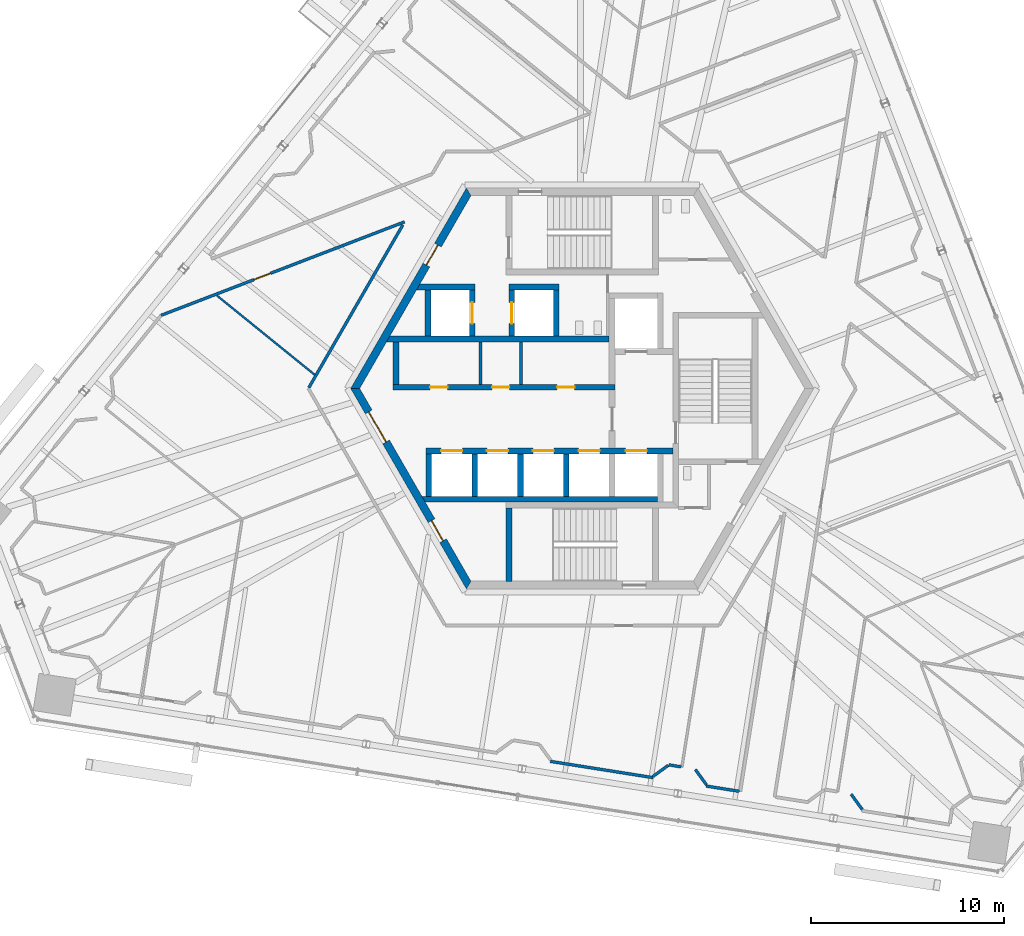
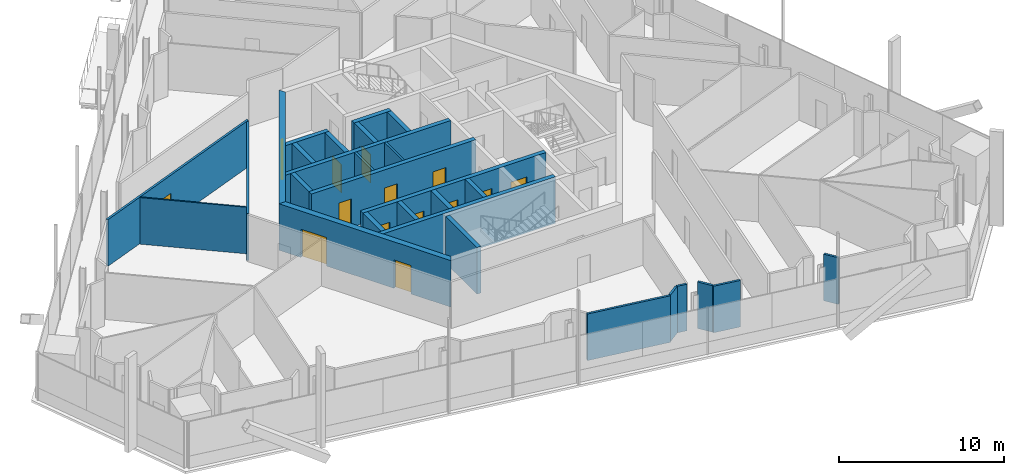
# One storey, part 12 of 23: 29 walls, 14 doors, 14 openings.
"""IFC4 building model written with IfcOpenShell, lengths in metres."""

from ifc_helpers import new_model, si_unit, direction, frame, frame_2d, origin, place, context, subcontext, project, spatial, polyline, rectangle, outline, extrude, source, transform, mapped, material, layer, layer_set, type_object, element, fill, save


model = new_model("IFC4")

# Units and contexts
model_context = context("Model", 3, precision=1e-05, world=origin(), true_north=direction((0.0, 1.0)))
body_context = subcontext(model_context, "Body", "Model", "MODEL_VIEW")
ifc_project = project(units=[si_unit("LENGTHUNIT", "METRE"), si_unit("AREAUNIT", "SQUARE_METRE"), si_unit("VOLUMEUNIT", "CUBIC_METRE"), si_unit("PLANEANGLEUNIT", "RADIAN"), si_unit("MASSUNIT", "GRAM", prefix="KILO")], contexts=[model_context])

# Site, building, storey
site_placement = place(None, origin())
site = spatial("IfcSite", under=ifc_project, at=site_placement, CompositionType="ELEMENT")
building_placement = place(site_placement, origin())
building = spatial("IfcBuilding", under=site, at=building_placement, Name="Triune Harvest Tower", CompositionType="ELEMENT")
storey_placement = place(building_placement, frame((0.0, 0.0, 167.699951171875)))
storey = spatial("IfcBuildingStorey", under=building, at=storey_placement, Name="L43", CompositionType="ELEMENT", Elevation=167.699951171875)

# Walls
ifc_material_1 = material(Name="Gypsum board on steel studs", Category="steel")
ifc_layer_1 = layer(ifc_material_1, 0.14990234375)
ifc_layer_set_1 = layer_set([ifc_layer_1], Name="Gypsum board on steel studs")
wall_type_1 = type_object("IfcWallType", Name="Fire Partition 150 mm", PredefinedType="PARTITIONING", material=ifc_layer_set_1)
wall_1_placement = place(storey_placement, frame((13.938720703125, -21.031005859375, 0.0), z_axis=(0.0, 0.0, 1.0), x_axis=(0.587772972264, -0.809025916196, 0.0)))
element("IfcWall", 1, at=wall_1_placement, inside=storey, type_object=wall_type_1, Name="Partition L43 032", PredefinedType="PARTITIONING", context=body_context, shape_type="SweptSolid", body=[
    extrude(rectangle(XDim=0.983154296875, YDim=0.14990234375, at=frame_2d((0.49169921875, 0.0))), origin(), (0.0, 0.0, 1.0), 3.43994140625),
])
wall_2_placement = place(storey_placement, frame((6.421630859375, -20.60888671875, 0.0), z_axis=(0.0, 0.0, 1.0), x_axis=(0.987702797816, -0.156343158425, 0.0)))
element("IfcWall", 2, at=wall_2_placement, inside=storey, type_object=wall_type_1, Name="Partition L43 058", PredefinedType="PARTITIONING", context=body_context, shape_type="SweptSolid", body=[
    extrude(rectangle(XDim=1.745849609375, YDim=0.14990234375, at=frame_2d((0.873046875, 0.0))), origin(), (0.0, 0.0, 1.0), 3.43994140625),
])
wall_3_placement = place(storey_placement, frame((4.490478515625, -19.5126953125, 0.0), z_axis=(0.0, 0.0, 1.0), x_axis=(0.987711497754, -0.156288186389, 0.0)))
element("IfcWall", 3, at=wall_3_placement, inside=storey, type_object=wall_type_1, Name="Partition L43 064", PredefinedType="PARTITIONING", context=body_context, shape_type="SweptSolid", body=[
    extrude(rectangle(XDim=0.654541015625, YDim=0.14990234375, at=frame_2d((0.3271484375, 0.0))), origin(), (0.0, 0.0, 1.0), 3.43994140625),
])

# Wall, opening, door
wall_4_placement = place(storey_placement, frame((-21.829345703125, 3.791259765625, 0.0), z_axis=(0.0, 0.0, 1.0), x_axis=(0.933574402128, 0.35838364317, 0.0)))
wall_4 = element("IfcWall", 4, at=wall_4_placement, inside=storey, type_object=wall_type_1, Name="Partition L43 091", PredefinedType="PARTITIONING", context=body_context, shape_type="SweptSolid", body=[
    extrude(rectangle(XDim=13.51953125, YDim=0.14990234375, at=frame_2d((6.759765625, 0.0))), origin(), (0.0, 0.0, 1.0), 3.43994140625),
])
opening_1_placement = place(wall_4_placement, frame((5.1708984375, 0.0, 0.0)))
opening_1 = element("IfcOpeningElement", 5, at=opening_1_placement, cuts=wall_4, Name="Opening L43-018", PredefinedType="OPENING", context=body_context, shape_type="SweptSolid", body=[
    extrude(rectangle(XDim=0.89990234375, YDim=2.10009765625, at=frame_2d((0.449951171875, 1.050048828125))), frame((0.0, 0.0849609375, 0.0), z_axis=(0.0, -1.0, 0.0), x_axis=(1.0, 0.0, 0.0)), (0.0, 0.0, 1.0), 0.169921875),
])
ifc_material_2 = material(Name="Timber and steel door set", Category="steel")
door_type_1 = type_object("IfcDoorType", Name="Single leaf door FD30 right hand 900 x 2100", OperationType="SINGLE_SWING_RIGHT", PredefinedType="DOOR", material=ifc_material_2)
door_1_placement = place(opening_1_placement, origin())
door_1 = element("IfcDoor", 6, at=door_1_placement, inside=storey, type_object=door_type_1, Name="Door L43-018 Project Room 43.18", OperationType="SINGLE_SWING_RIGHT", OverallHeight=2.10009765625, OverallWidth=0.89990234375, PredefinedType="DOOR", context=body_context, shape_type="SweptSolid", body=[
    extrude(rectangle(XDim=0.89990234375, YDim=2.10009765625, at=frame_2d((0.449951171875, 1.050048828125))), frame((0.0, 0.02490234375, 0.0), z_axis=(0.0, -1.0, 0.0), x_axis=(1.0, 0.0, 0.0)), (0.0, 0.0, 1.0), 0.050048828125),
])
fill(opening_1, door_1)

# Walls
wall_5_placement = place(storey_placement, frame((-14.1689453125, 0.04296875, 0.0), z_axis=(0.0, 0.0, 1.0), x_axis=(0.499995765644, 0.866027848477, 0.0)))
element("IfcWall", 7, at=wall_5_placement, inside=storey, type_object=wall_type_1, Name="Partition L43 124", PredefinedType="PARTITIONING", context=body_context, shape_type="SweptSolid", body=[
    extrude(rectangle(XDim=9.74267578125, YDim=0.14990234375, at=frame_2d((4.871337890625, 0.0))), origin(), (0.0, 0.0, 1.0), 3.43994140625),
])
ifc_material_3 = material(Name="Gypsum board on steel studs", Category="steel")
ifc_layer_2 = layer(ifc_material_3, 0.10009765625)
ifc_layer_set_2 = layer_set([ifc_layer_2], Name="Gypsum board on steel studs")
wall_type_2 = type_object("IfcWallType", Name="Partition 100 mm", PredefinedType="PARTITIONING", material=ifc_layer_set_2)
wall_6_placement = place(storey_placement, frame((-18.939208984375, 4.8173828125, 0.0), z_axis=(0.0, 0.0, 1.0), x_axis=(0.777136182543, -0.629332466811, 0.0)))
element("IfcWall", 8, at=wall_6_placement, inside=storey, type_object=wall_type_2, Name="Partition L43 036", PredefinedType="PARTITIONING", context=body_context, shape_type="SweptSolid", body=[
    extrude(rectangle(XDim=6.53955078125, YDim=0.10009765625, at=frame_2d((3.269775390625, 0.0))), origin(), (0.0, 0.0, 1.0), 3.43994140625),
])

# Wall, opening, door
ifc_material_4 = material(Name="Concrete 70 MPa", Category="concrete")
ifc_layer_3 = layer(ifc_material_4, 0.39990234375)
ifc_layer_set_3 = layer_set([ifc_layer_3], Name="Concrete 70 MPa")
wall_type_3 = type_object("IfcWallType", Name="Core wall 400", PredefinedType="SHEAR", material=ifc_layer_set_3)
shared_shape_1 = source(origin(), body_context, "Body", "SweptSolid", [
    extrude(outline(polyline([(-0.115478515625, -0.199951171875), (11.884521484375, -0.199951171875), (11.653564453125, 0.199951171875), (0.115478515625, 0.199951171875), (-0.115478515625, -0.199951171875)])), origin(), (0.0, 0.0, 1.0), 3.43994140625),
])
wall_7_placement = place(storey_placement, frame((-5.884521484375, 10.1923828125, 0.0), z_axis=(0.0, 0.0, 1.0), x_axis=(-0.499996592174, -0.866027371285, 0.0)))
wall_7 = element("IfcWall", 9, at=wall_7_placement, inside=storey, type_object=wall_type_3, Name="Hexagon 2 wall", PredefinedType="SHEAR", context=body_context, shape_type="MappedRepresentation", body=[
    mapped(shared_shape_1, transform((0.0, 0.0, 0.0), scale=1.0)),
])
opening_2_placement = place(wall_7_placement, frame((3.1845703125, 0.0, 0.0)))
opening_2 = element("IfcOpeningElement", 10, at=opening_2_placement, cuts=wall_7, Name="Opening CD-SVP", PredefinedType="OPENING", context=body_context, shape_type="SweptSolid", body=[
    extrude(rectangle(XDim=1.199951171875, YDim=2.10009765625, at=frame_2d((0.60009765625, 1.050048828125))), frame((0.0, 0.2099609375, 0.0), z_axis=(0.0, -1.0, 0.0), x_axis=(1.0, 0.0, 0.0)), (0.0, 0.0, 1.0), 0.419921875),
])
ifc_material_5 = material(Name="Steel S235", Category="steel")
door_type_2 = type_object("IfcDoorType", Name="Service door 1200 FD120", OperationType="SINGLE_SWING_LEFT", PredefinedType="DOOR", material=ifc_material_5)
door_2_placement = place(opening_2_placement, frame((1.199951171875, 0.0, 0.0), z_axis=(0.0, 0.0, 1.0), x_axis=(-1.0, 0.0, 0.0)))
door_2 = element("IfcDoor", 11, at=door_2_placement, inside=storey, type_object=door_type_2, Name="Door CD-SVP", OperationType="SINGLE_SWING_RIGHT", OverallHeight=2.10009765625, OverallWidth=1.199951171875, PredefinedType="DOOR", context=body_context, shape_type="SweptSolid", body=[
    extrude(rectangle(XDim=1.199951171875, YDim=2.10009765625, at=frame_2d((0.60009765625, 1.050048828125))), frame((0.0, 0.02490234375, 0.0), z_axis=(0.0, -1.0, 0.0), x_axis=(1.0, 0.0, 0.0)), (0.0, 0.0, 1.0), 0.050048828125),
])
fill(opening_2, door_2)

# Wall, openings, doors
wall_8_placement = place(storey_placement, frame((-11.76904296875, 0.0, 0.0), z_axis=(0.0, 0.0, 1.0), x_axis=(0.499996592174, -0.866027371285, 0.0)))
wall_8 = element("IfcWall", 12, at=wall_8_placement, inside=storey, type_object=wall_type_3, Name="Hexagon 3 wall", PredefinedType="SHEAR", context=body_context, shape_type="MappedRepresentation", body=[
    mapped(shared_shape_1, transform((0.0, 0.0, 0.0), scale=1.0)),
])
opening_3_placement = place(wall_8_placement, frame((1.404541015625, 0.0, 0.0)))
opening_3 = element("IfcOpeningElement", 13, at=opening_3_placement, cuts=wall_8, Name="Opening CD-LS", PredefinedType="OPENING", context=body_context, shape_type="SweptSolid", body=[
    extrude(rectangle(XDim=1.800048828125, YDim=2.10009765625, at=frame_2d((0.89990234375, 1.050048828125))), frame((0.0, 0.2099609375, 0.0), z_axis=(0.0, -1.0, 0.0), x_axis=(1.0, 0.0, 0.0)), (0.0, 0.0, 1.0), 0.419921875),
])
opening_4_placement = place(wall_8_placement, frame((7.91455078125, 0.0, 0.0)))
opening_4 = element("IfcOpeningElement", 14, at=opening_4_placement, cuts=wall_8, Name="Opening CD-SWP", PredefinedType="OPENING", context=body_context, shape_type="SweptSolid", body=[
    extrude(rectangle(XDim=1.199951171875, YDim=2.10009765625, at=frame_2d((0.60009765625, 1.050048828125))), frame((0.0, 0.2099609375, 0.0), z_axis=(0.0, -1.0, 0.0), x_axis=(1.0, 0.0, 0.0)), (0.0, 0.0, 1.0), 0.419921875),
])
ifc_material_6 = material(Name="Steel S235", Category="steel")
door_type_3 = type_object("IfcDoorType", Name="Lobby door 1800 FD120", OperationType="DOUBLE_DOOR_DOUBLE_SWING", PredefinedType="DOOR", material=ifc_material_6)
door_3_placement = place(opening_3_placement, frame((1.800048828125, 0.0, 0.0), z_axis=(0.0, 0.0, 1.0), x_axis=(-1.0, 0.0, 0.0)))
door_3 = element("IfcDoor", 15, at=door_3_placement, inside=storey, type_object=door_type_3, Name="Door CD-LS", OperationType="DOUBLE_DOOR_DOUBLE_SWING", OverallHeight=2.10009765625, OverallWidth=1.800048828125, PredefinedType="DOOR", context=body_context, shape_type="SweptSolid", body=[
    extrude(rectangle(XDim=1.800048828125, YDim=2.10009765625, at=frame_2d((0.89990234375, 1.050048828125))), frame((0.0, 0.02490234375, 0.0), z_axis=(0.0, -1.0, 0.0), x_axis=(1.0, 0.0, 0.0)), (0.0, 0.0, 1.0), 0.050048828125),
])
fill(opening_3, door_3)
door_4_placement = place(opening_4_placement, frame((1.199951171875, 0.0, 0.0), z_axis=(0.0, 0.0, 1.0), x_axis=(-1.0, 0.0, 0.0)))
door_4 = element("IfcDoor", 16, at=door_4_placement, inside=storey, type_object=door_type_2, Name="Door CD-SWP", OperationType="SINGLE_SWING_RIGHT", OverallHeight=2.10009765625, OverallWidth=1.199951171875, PredefinedType="DOOR", context=body_context, shape_type="SweptSolid", body=[
    extrude(rectangle(XDim=1.199951171875, YDim=2.10009765625, at=frame_2d((0.60009765625, 1.050048828125))), frame((0.0, 0.02490234375, 0.0), z_axis=(0.0, -1.0, 0.0), x_axis=(1.0, 0.0, 0.0)), (0.0, 0.0, 1.0), 0.050048828125),
])
fill(opening_4, door_4)

ifc_material_7 = material(Name="Concrete 70 MPa", Category="concrete")
ifc_layer_4 = layer(ifc_material_7, 0.300048828125)
ifc_layer_set_4 = layer_set([ifc_layer_4], Name="Concrete 70 MPa")
wall_type_4 = type_object("IfcWallType", Name="Core wall 300", PredefinedType="SHEAR", material=ifc_layer_set_4)
shared_shape_2 = source(origin(), body_context, "Body", "SweptSolid", [
    extrude(rectangle(XDim=11.5, YDim=0.300048828125, at=frame_2d((5.75, 0.0))), origin(), (0.0, 0.0, 1.0), 3.43994140625),
])
wall_9_placement = place(storey_placement, frame((-9.800048828125, 0.06005859375, 0.0), z_axis=(0.0, 0.0, 1.0), x_axis=(1.0, 0.0, 0.0)))
wall_9 = element("IfcWall", 17, at=wall_9_placement, inside=storey, type_object=wall_type_4, Name="North front wall", PredefinedType="SHEAR", context=body_context, shape_type="MappedRepresentation", body=[
    mapped(shared_shape_2, transform((0.0, 0.0, 0.0), scale=1.0)),
])
opening_5_placement = place(wall_9_placement, frame((1.922607421875, 0.0, 0.0)))
opening_5 = element("IfcOpeningElement", 18, at=opening_5_placement, cuts=wall_9, Name="Opening CD-RN1", PredefinedType="OPENING", context=body_context, shape_type="SweptSolid", body=[
    extrude(rectangle(XDim=0.89990234375, YDim=2.10009765625, at=frame_2d((0.449951171875, 1.050048828125))), frame((0.0, 0.16015625, 0.0), z_axis=(0.0, -1.0, 0.0), x_axis=(1.0, 0.0, 0.0)), (0.0, 0.0, 1.0), 0.320068359375),
])
opening_6_placement = place(wall_9_placement, frame((5.125, 0.0, 0.0)))
opening_6 = element("IfcOpeningElement", 19, at=opening_6_placement, cuts=wall_9, Name="Opening CD-RN2", PredefinedType="OPENING", context=body_context, shape_type="SweptSolid", body=[
    extrude(rectangle(XDim=0.89990234375, YDim=2.10009765625, at=frame_2d((0.449951171875, 1.050048828125))), frame((0.0, 0.16015625, 0.0), z_axis=(0.0, -1.0, 0.0), x_axis=(1.0, 0.0, 0.0)), (0.0, 0.0, 1.0), 0.320068359375),
])
opening_7_placement = place(wall_9_placement, frame((8.50244140625, 0.0, 0.0)))
opening_7 = element("IfcOpeningElement", 20, at=opening_7_placement, cuts=wall_9, Name="Opening CD-RN3", PredefinedType="OPENING", context=body_context, shape_type="SweptSolid", body=[
    extrude(rectangle(XDim=0.89990234375, YDim=2.10009765625, at=frame_2d((0.449951171875, 1.050048828125))), frame((0.0, 0.16015625, 0.0), z_axis=(0.0, -1.0, 0.0), x_axis=(1.0, 0.0, 0.0)), (0.0, 0.0, 1.0), 0.320068359375),
])
ifc_material_8 = material(Name="Steel S235", Category="steel")
door_type_4 = type_object("IfcDoorType", Name="Riser door 900 FD120", OperationType="SINGLE_SWING_LEFT", PredefinedType="DOOR", material=ifc_material_8)
door_5_placement = place(opening_5_placement, frame((0.89990234375, 0.0, 0.0), z_axis=(0.0, 0.0, 1.0), x_axis=(-1.0, 0.0, 0.0)))
door_5 = element("IfcDoor", 21, at=door_5_placement, inside=storey, type_object=door_type_4, Name="Door CD-RN1", OperationType="SINGLE_SWING_RIGHT", OverallHeight=2.10009765625, OverallWidth=0.89990234375, PredefinedType="DOOR", context=body_context, shape_type="SweptSolid", body=[
    extrude(rectangle(XDim=0.89990234375, YDim=2.10009765625, at=frame_2d((0.449951171875, 1.050048828125))), frame((0.0, 0.02490234375, 0.0), z_axis=(0.0, -1.0, 0.0), x_axis=(1.0, 0.0, 0.0)), (0.0, 0.0, 1.0), 0.050048828125),
])
fill(opening_5, door_5)
door_6_placement = place(opening_6_placement, frame((0.89990234375, 0.0, 0.0), z_axis=(0.0, 0.0, 1.0), x_axis=(-1.0, 0.0, 0.0)))
door_6 = element("IfcDoor", 22, at=door_6_placement, inside=storey, type_object=door_type_4, Name="Door CD-RN2", OperationType="SINGLE_SWING_RIGHT", OverallHeight=2.10009765625, OverallWidth=0.89990234375, PredefinedType="DOOR", context=body_context, shape_type="SweptSolid", body=[
    extrude(rectangle(XDim=0.89990234375, YDim=2.10009765625, at=frame_2d((0.449951171875, 1.050048828125))), frame((0.0, 0.02490234375, 0.0), z_axis=(0.0, -1.0, 0.0), x_axis=(1.0, 0.0, 0.0)), (0.0, 0.0, 1.0), 0.050048828125),
])
fill(opening_6, door_6)
door_7_placement = place(opening_7_placement, frame((0.89990234375, 0.0, 0.0), z_axis=(0.0, 0.0, 1.0), x_axis=(-1.0, 0.0, 0.0)))
door_7 = element("IfcDoor", 23, at=door_7_placement, inside=storey, type_object=door_type_4, Name="Door CD-RN3", OperationType="SINGLE_SWING_RIGHT", OverallHeight=2.10009765625, OverallWidth=0.89990234375, PredefinedType="DOOR", context=body_context, shape_type="SweptSolid", body=[
    extrude(rectangle(XDim=0.89990234375, YDim=2.10009765625, at=frame_2d((0.449951171875, 1.050048828125))), frame((0.0, 0.02490234375, 0.0), z_axis=(0.0, -1.0, 0.0), x_axis=(1.0, 0.0, 0.0)), (0.0, 0.0, 1.0), 0.050048828125),
])
fill(opening_7, door_7)

# Wall
shared_shape_3 = source(origin(), body_context, "Body", "SweptSolid", [
    extrude(outline(polyline([(11.199951171875, -0.14990234375), (-0.34912109375, -0.14990234375), (-0.17578125, 0.14990234375), (11.199951171875, 0.14990234375), (11.199951171875, -0.14990234375)])), origin(), (0.0, 0.0, 1.0), 3.43994140625),
])
wall_10_placement = place(storey_placement, frame((-9.800048828125, 2.56005859375, 0.0), z_axis=(0.0, 0.0, 1.0), x_axis=(1.0, 0.0, 0.0)))
element("IfcWall", 24, at=wall_10_placement, inside=storey, type_object=wall_type_4, Name="North back wall", PredefinedType="SHEAR", context=body_context, shape_type="MappedRepresentation", body=[
    mapped(shared_shape_3, transform((0.0, 0.0, 0.0), scale=1.0)),
])

# Wall, openings, doors
shared_shape_4 = source(origin(), body_context, "Body", "SweptSolid", [
    extrude(rectangle(XDim=12.800048828125, YDim=0.300048828125, at=frame_2d((6.39990234375, 0.0))), origin(), (0.0, 0.0, 1.0), 3.43994140625),
])
wall_11_placement = place(storey_placement, frame((-8.10009765625, -3.239990234375, 0.0), z_axis=(0.0, 0.0, 1.0), x_axis=(1.0, 0.0, 0.0)))
wall_11 = element("IfcWall", 25, at=wall_11_placement, inside=storey, type_object=wall_type_4, Name="South front wall", PredefinedType="SHEAR", context=body_context, shape_type="MappedRepresentation", body=[
    mapped(shared_shape_4, transform((0.0, 0.0, 0.0), scale=1.0)),
])
opening_8_placement = place(wall_11_placement, frame((0.78759765625, 0.0, 0.0)))
opening_8 = element("IfcOpeningElement", 26, at=opening_8_placement, cuts=wall_11, Name="Opening LD-HR1-43", PredefinedType="OPENING", context=body_context, shape_type="SweptSolid", body=[
    extrude(rectangle(XDim=1.10009765625, YDim=2.10009765625, at=frame_2d((0.550048828125, 1.050048828125))), frame((0.0, 0.16015625, 0.0), z_axis=(0.0, -1.0, 0.0), x_axis=(1.0, 0.0, 0.0)), (0.0, 0.0, 1.0), 0.320068359375),
])
opening_9_placement = place(wall_11_placement, frame((3.16259765625, 0.0, 0.0)))
opening_9 = element("IfcOpeningElement", 27, at=opening_9_placement, cuts=wall_11, Name="Opening LD-HR2-43", PredefinedType="OPENING", context=body_context, shape_type="SweptSolid", body=[
    extrude(rectangle(XDim=1.10009765625, YDim=2.10009765625, at=frame_2d((0.550048828125, 1.050048828125))), frame((0.0, 0.16015625, 0.0), z_axis=(0.0, -1.0, 0.0), x_axis=(1.0, 0.0, 0.0)), (0.0, 0.0, 1.0), 0.320068359375),
])
opening_10_placement = place(wall_11_placement, frame((5.53759765625, 0.0, 0.0)))
opening_10 = element("IfcOpeningElement", 28, at=opening_10_placement, cuts=wall_11, Name="Opening LD-HR3-43", PredefinedType="OPENING", context=body_context, shape_type="SweptSolid", body=[
    extrude(rectangle(XDim=1.10009765625, YDim=2.10009765625, at=frame_2d((0.550048828125, 1.050048828125))), frame((0.0, 0.16015625, 0.0), z_axis=(0.0, -1.0, 0.0), x_axis=(1.0, 0.0, 0.0)), (0.0, 0.0, 1.0), 0.320068359375),
])
opening_11_placement = place(wall_11_placement, frame((7.91259765625, 0.0, 0.0)))
opening_11 = element("IfcOpeningElement", 29, at=opening_11_placement, cuts=wall_11, Name="Opening LD-HR4-43", PredefinedType="OPENING", context=body_context, shape_type="SweptSolid", body=[
    extrude(rectangle(XDim=1.10009765625, YDim=2.10009765625, at=frame_2d((0.550048828125, 1.050048828125))), frame((0.0, 0.16015625, 0.0), z_axis=(0.0, -1.0, 0.0), x_axis=(1.0, 0.0, 0.0)), (0.0, 0.0, 1.0), 0.320068359375),
])
opening_12_placement = place(wall_11_placement, frame((10.35009765625, 0.0, 0.0)))
opening_12 = element("IfcOpeningElement", 30, at=opening_12_placement, cuts=wall_11, Name="Opening LD-FF2-43", PredefinedType="OPENING", context=body_context, shape_type="SweptSolid", body=[
    extrude(rectangle(XDim=1.10009765625, YDim=2.10009765625, at=frame_2d((0.550048828125, 1.050048828125))), frame((0.0, 0.16015625, 0.0), z_axis=(0.0, -1.0, 0.0), x_axis=(1.0, 0.0, 0.0)), (0.0, 0.0, 1.0), 0.320068359375),
])
ifc_material_9 = material(Name="Stainless steel AISI 304", Category="steel")
door_type_5 = type_object("IfcDoorType", Name="Landing door 1100 x 2100", OperationType="DOUBLE_DOOR_SLIDING", PredefinedType="DOOR", material=ifc_material_9)
door_8_placement = place(opening_8_placement, origin())
door_8 = element("IfcDoor", 31, at=door_8_placement, inside=storey, type_object=door_type_5, Name="Door LD-HR1-43", OperationType="DOUBLE_DOOR_SLIDING", OverallHeight=2.10009765625, OverallWidth=1.10009765625, PredefinedType="DOOR", context=body_context, shape_type="SweptSolid", body=[
    extrude(rectangle(XDim=1.10009765625, YDim=2.10009765625, at=frame_2d((0.550048828125, 1.050048828125))), frame((0.0, 0.02490234375, 0.0), z_axis=(0.0, -1.0, 0.0), x_axis=(1.0, 0.0, 0.0)), (0.0, 0.0, 1.0), 0.050048828125),
])
fill(opening_8, door_8)
door_9_placement = place(opening_9_placement, origin())
door_9 = element("IfcDoor", 32, at=door_9_placement, inside=storey, type_object=door_type_5, Name="Door LD-HR2-43", OperationType="DOUBLE_DOOR_SLIDING", OverallHeight=2.10009765625, OverallWidth=1.10009765625, PredefinedType="DOOR", context=body_context, shape_type="SweptSolid", body=[
    extrude(rectangle(XDim=1.10009765625, YDim=2.10009765625, at=frame_2d((0.550048828125, 1.050048828125))), frame((0.0, 0.02490234375, 0.0), z_axis=(0.0, -1.0, 0.0), x_axis=(1.0, 0.0, 0.0)), (0.0, 0.0, 1.0), 0.050048828125),
])
fill(opening_9, door_9)
door_10_placement = place(opening_10_placement, origin())
door_10 = element("IfcDoor", 33, at=door_10_placement, inside=storey, type_object=door_type_5, Name="Door LD-HR3-43", OperationType="DOUBLE_DOOR_SLIDING", OverallHeight=2.10009765625, OverallWidth=1.10009765625, PredefinedType="DOOR", context=body_context, shape_type="SweptSolid", body=[
    extrude(rectangle(XDim=1.10009765625, YDim=2.10009765625, at=frame_2d((0.550048828125, 1.050048828125))), frame((0.0, 0.02490234375, 0.0), z_axis=(0.0, -1.0, 0.0), x_axis=(1.0, 0.0, 0.0)), (0.0, 0.0, 1.0), 0.050048828125),
])
fill(opening_10, door_10)
door_11_placement = place(opening_11_placement, origin())
door_11 = element("IfcDoor", 34, at=door_11_placement, inside=storey, type_object=door_type_5, Name="Door LD-HR4-43", OperationType="DOUBLE_DOOR_SLIDING", OverallHeight=2.10009765625, OverallWidth=1.10009765625, PredefinedType="DOOR", context=body_context, shape_type="SweptSolid", body=[
    extrude(rectangle(XDim=1.10009765625, YDim=2.10009765625, at=frame_2d((0.550048828125, 1.050048828125))), frame((0.0, 0.02490234375, 0.0), z_axis=(0.0, -1.0, 0.0), x_axis=(1.0, 0.0, 0.0)), (0.0, 0.0, 1.0), 0.050048828125),
])
fill(opening_11, door_11)
door_12_placement = place(opening_12_placement, origin())
door_12 = element("IfcDoor", 35, at=door_12_placement, inside=storey, type_object=door_type_5, Name="Door LD-FF2-43", OperationType="DOUBLE_DOOR_SLIDING", OverallHeight=2.10009765625, OverallWidth=1.10009765625, PredefinedType="DOOR", context=body_context, shape_type="SweptSolid", body=[
    extrude(rectangle(XDim=1.10009765625, YDim=2.10009765625, at=frame_2d((0.550048828125, 1.050048828125))), frame((0.0, 0.02490234375, 0.0), z_axis=(0.0, -1.0, 0.0), x_axis=(1.0, 0.0, 0.0)), (0.0, 0.0, 1.0), 0.050048828125),
])
fill(opening_12, door_12)

# Walls
shared_shape_5 = source(origin(), body_context, "Body", "SweptSolid", [
    extrude(outline(polyline([(12.0, -0.14990234375), (-0.039794921875, -0.14990234375), (-0.212890625, 0.14990234375), (12.0, 0.14990234375), (12.0, -0.14990234375)])), origin(), (0.0, 0.0, 1.0), 3.43994140625),
])
wall_12_placement = place(storey_placement, frame((-8.10009765625, -5.739990234375, 0.0), z_axis=(0.0, 0.0, 1.0), x_axis=(1.0, 0.0, 0.0)))
element("IfcWall", 36, at=wall_12_placement, inside=storey, type_object=wall_type_4, Name="South back wall", PredefinedType="SHEAR", context=body_context, shape_type="MappedRepresentation", body=[
    mapped(shared_shape_5, transform((0.0, 0.0, 0.0), scale=1.0)),
])
shared_shape_6 = source(origin(), body_context, "Body", "SweptSolid", [
    extrude(rectangle(XDim=2.2001953125, YDim=0.300048828125, at=frame_2d((1.10009765625, 0.0))), origin(), (0.0, 0.0, 1.0), 3.43994140625),
])
for number, where, z_axis, x_axis, name in (
    (37, (-7.949951171875, -5.590087890625, 0.0), (0.0, 0.0, 1.0), (0.0, 1.0, 0.0), "South end west wall"),
    (38, (-5.574951171875, -5.590087890625, 0.0), (0.0, 0.0, 1.0), (0.0, 1.0, 0.0), "South cross 1 wall"),
    (39, (-3.199951171875, -5.590087890625, 0.0), (0.0, 0.0, 1.0), (0.0, 1.0, 0.0), "South cross 2 wall"),
    (40, (-0.824951171875, -5.590087890625, 0.0), (0.0, 0.0, 1.0), (0.0, 1.0, 0.0), "South cross 3 wall"),
):
    element("IfcWall", number, at=place(storey_placement, frame(where, z_axis=z_axis, x_axis=x_axis)), inside=storey, type_object=wall_type_4, Name=name, PredefinedType="SHEAR", context=body_context, shape_type="MappedRepresentation", body=[
        mapped(shared_shape_6, transform((0.0, 0.0, 0.0), scale=1.0)),
    ])
shared_shape_7 = source(origin(), body_context, "Body", "SweptSolid", [
    extrude(rectangle(XDim=2.199951171875, YDim=0.300048828125, at=frame_2d((1.10009765625, 0.0))), origin(), (0.0, 0.0, 1.0), 3.43994140625),
])
wall_13_placement = place(storey_placement, frame((-9.64990234375, 0.2099609375, 0.0), z_axis=(0.0, 0.0, 1.0), x_axis=(0.0, 1.0, 0.0)))
element("IfcWall", 41, at=wall_13_placement, inside=storey, type_object=wall_type_4, Name="North end west wall", PredefinedType="SHEAR", context=body_context, shape_type="MappedRepresentation", body=[
    mapped(shared_shape_7, transform((0.0, 0.0, 0.0), scale=1.0)),
])
shared_shape_8 = source(origin(), body_context, "Body", "SweptSolid", [
    extrude(outline(polyline([(3.800048828125, -0.14990234375), (-0.00439453125, -0.14990234375), (-0.00439453125, 0.14990234375), (3.800048828125, 0.14990234375), (3.800048828125, -0.14990234375)])), origin(), (0.0, 0.0, 1.0), 3.43994140625),
])
wall_14_placement = place(storey_placement, frame((-3.800048828125, -9.989990234375, 0.0), z_axis=(0.0, 0.0, 1.0), x_axis=(0.0, 1.0, 0.0)))
element("IfcWall", 42, at=wall_14_placement, inside=storey, type_object=wall_type_4, Name="Stair s west wall", PredefinedType="SHEAR", context=body_context, shape_type="MappedRepresentation", body=[
    mapped(shared_shape_8, transform((0.0, 0.0, 0.0), scale=1.0)),
])
shared_shape_9 = source(origin(), body_context, "Body", "SweptSolid", [
    extrude(outline(polyline([(2.60009765625, -0.14990234375), (-0.440185546875, -0.14990234375), (-0.26708984375, 0.14990234375), (2.60009765625, 0.14990234375), (2.60009765625, -0.14990234375)])), origin(), (0.0, 0.0, 1.0), 3.43994140625),
])
wall_15_placement = place(storey_placement, frame((-8.14990234375, 5.260009765625, 0.0), z_axis=(0.0, 0.0, 1.0), x_axis=(1.0, 0.0, 0.0)))
element("IfcWall", 43, at=wall_15_placement, inside=storey, type_object=wall_type_4, Name="Sv1 north wall", PredefinedType="SHEAR", context=body_context, shape_type="MappedRepresentation", body=[
    mapped(shared_shape_9, transform((0.0, 0.0, 0.0), scale=1.0)),
])
shared_shape_10 = source(origin(), body_context, "Body", "SweptSolid", [
    extrude(rectangle(XDim=2.400146484375, YDim=0.300048828125, at=frame_2d((1.2001953125, 0.0))), origin(), (0.0, 0.0, 1.0), 3.43994140625),
])
wall_16_placement = place(storey_placement, frame((-8.0, 2.7099609375, 0.0), z_axis=(0.0, 0.0, 1.0), x_axis=(0.0, 1.0, 0.0)))
element("IfcWall", 44, at=wall_16_placement, inside=storey, type_object=wall_type_4, Name="Sv1 west wall", PredefinedType="SHEAR", context=body_context, shape_type="MappedRepresentation", body=[
    mapped(shared_shape_10, transform((0.0, 0.0, 0.0), scale=1.0)),
])

# Wall, opening, door
wall_17_placement = place(storey_placement, frame((-5.699951171875, 2.7099609375, 0.0), z_axis=(0.0, 0.0, 1.0), x_axis=(0.0, 1.0, 0.0)))
wall_17 = element("IfcWall", 45, at=wall_17_placement, inside=storey, type_object=wall_type_4, Name="Sv1 east wall", PredefinedType="SHEAR", context=body_context, shape_type="MappedRepresentation", body=[
    mapped(shared_shape_10, transform((0.0, 0.0, 0.0), scale=1.0)),
])
opening_13_placement = place(wall_17_placement, frame((0.64990234375, 0.0, 0.0)))
opening_13 = element("IfcOpeningElement", 46, at=opening_13_placement, cuts=wall_17, Name="Opening LD-SV1-43", PredefinedType="OPENING", context=body_context, shape_type="SweptSolid", body=[
    extrude(rectangle(XDim=1.10009765625, YDim=2.10009765625, at=frame_2d((0.550048828125, 1.050048828125))), frame((0.0, 0.16015625, 0.0), z_axis=(0.0, -1.0, 0.0), x_axis=(1.0, 0.0, 0.0)), (0.0, 0.0, 1.0), 0.320068359375),
])
door_13_placement = place(opening_13_placement, origin())
door_13 = element("IfcDoor", 47, at=door_13_placement, inside=storey, type_object=door_type_5, Name="Door LD-SV1-43", OperationType="DOUBLE_DOOR_SLIDING", OverallHeight=2.10009765625, OverallWidth=1.10009765625, PredefinedType="DOOR", context=body_context, shape_type="SweptSolid", body=[
    extrude(rectangle(XDim=1.10009765625, YDim=2.10009765625, at=frame_2d((0.550048828125, 1.050048828125))), frame((0.0, 0.02490234375, 0.0), z_axis=(0.0, -1.0, 0.0), x_axis=(1.0, 0.0, 0.0)), (0.0, 0.0, 1.0), 0.050048828125),
])
fill(opening_13, door_13)

wall_18_placement = place(storey_placement, frame((-3.64990234375, 2.7099609375, 0.0), z_axis=(0.0, 0.0, 1.0), x_axis=(0.0, 1.0, 0.0)))
wall_18 = element("IfcWall", 48, at=wall_18_placement, inside=storey, type_object=wall_type_4, Name="Sv2 west wall", PredefinedType="SHEAR", context=body_context, shape_type="MappedRepresentation", body=[
    mapped(shared_shape_10, transform((0.0, 0.0, 0.0), scale=1.0)),
])
opening_14_placement = place(wall_18_placement, frame((0.64990234375, 0.0, 0.0)))
opening_14 = element("IfcOpeningElement", 49, at=opening_14_placement, cuts=wall_18, Name="Opening LD-SV2-43", PredefinedType="OPENING", context=body_context, shape_type="SweptSolid", body=[
    extrude(rectangle(XDim=1.10009765625, YDim=2.10009765625, at=frame_2d((0.550048828125, 1.050048828125))), frame((0.0, 0.16015625, 0.0), z_axis=(0.0, -1.0, 0.0), x_axis=(1.0, 0.0, 0.0)), (0.0, 0.0, 1.0), 0.320068359375),
])
door_14_placement = place(opening_14_placement, origin())
door_14 = element("IfcDoor", 50, at=door_14_placement, inside=storey, type_object=door_type_5, Name="Door LD-SV2-43", OperationType="DOUBLE_DOOR_SLIDING", OverallHeight=2.10009765625, OverallWidth=1.10009765625, PredefinedType="DOOR", context=body_context, shape_type="SweptSolid", body=[
    extrude(rectangle(XDim=1.10009765625, YDim=2.10009765625, at=frame_2d((0.550048828125, 1.050048828125))), frame((0.0, 0.02490234375, 0.0), z_axis=(0.0, -1.0, 0.0), x_axis=(1.0, 0.0, 0.0)), (0.0, 0.0, 1.0), 0.050048828125),
])
fill(opening_14, door_14)

# Walls
wall_19_placement = place(storey_placement, frame((-1.35009765625, 2.7099609375, 0.0), z_axis=(0.0, 0.0, 1.0), x_axis=(0.0, 1.0, 0.0)))
element("IfcWall", 51, at=wall_19_placement, inside=storey, type_object=wall_type_4, Name="Sv2 east wall", PredefinedType="SHEAR", context=body_context, shape_type="MappedRepresentation", body=[
    mapped(shared_shape_10, transform((0.0, 0.0, 0.0), scale=1.0)),
])
shared_shape_11 = source(origin(), body_context, "Body", "SweptSolid", [
    extrude(rectangle(XDim=2.60009765625, YDim=0.300048828125, at=frame_2d((1.300048828125, 0.0))), origin(), (0.0, 0.0, 1.0), 3.43994140625),
])
wall_20_placement = place(storey_placement, frame((-3.800048828125, 5.260009765625, 0.0), z_axis=(0.0, 0.0, 1.0), x_axis=(1.0, 0.0, 0.0)))
element("IfcWall", 52, at=wall_20_placement, inside=storey, type_object=wall_type_4, Name="Sv2 north wall", PredefinedType="SHEAR", context=body_context, shape_type="MappedRepresentation", body=[
    mapped(shared_shape_11, transform((0.0, 0.0, 0.0), scale=1.0)),
])
ifc_material_10 = material(Name="Concrete masonry unit", Category="masonry")
ifc_layer_5 = layer(ifc_material_10, 0.14990234375)
ifc_layer_set_5 = layer_set([ifc_layer_5], Name="Concrete masonry unit")
wall_type_5 = type_object("IfcWallType", Name="Block partition 150", PredefinedType="PARTITIONING", material=ifc_layer_set_5)
shared_shape_12 = source(origin(), body_context, "Body", "SweptSolid", [
    extrude(rectangle(XDim=2.199951171875, YDim=0.14990234375, at=frame_2d((1.10009765625, 0.0))), origin(), (0.0, 0.0, 1.0), 3.43994140625),
])
for number, where, z_axis, x_axis, name in (
    (53, (-5.280029296875, 0.2099609375, 0.0), (0.0, 0.0, 1.0), (0.0, 1.0, 0.0), "Row n part 1 wall"),
    (54, (-3.169921875, 0.2099609375, 0.0), (0.0, 0.0, 1.0), (0.0, 1.0, 0.0), "Row n part 2 wall"),
):
    element("IfcWall", number, at=place(storey_placement, frame(where, z_axis=z_axis, x_axis=x_axis)), inside=storey, type_object=wall_type_5, Name=name, PredefinedType="PARTITIONING", context=body_context, shape_type="MappedRepresentation", body=[
        mapped(shared_shape_12, transform((0.0, 0.0, 0.0), scale=1.0)),
    ])
shared_shape_13 = source(origin(), body_context, "Body", "SweptSolid", [
    extrude(rectangle(XDim=0.9833984375, YDim=0.14990234375, at=frame_2d((0.49169921875, 0.0))), origin(), (0.0, 0.0, 1.0), 3.43994140625),
])
for number, where, z_axis, x_axis, name in (
    (55, (5.8642578125, -19.751953125, 0.0), (0.0, 0.0, 1.0), (0.587817405052, -0.808993633051, 0.0), "Partition L43 031"),
    (56, (3.671875, -20.10888671875, 0.0), (0.0, 0.0, 1.0), (0.808993633051, 0.587817405052, 0.0), "Partition L43 100"),
):
    element("IfcWall", number, at=place(storey_placement, frame(where, z_axis=z_axis, x_axis=x_axis)), inside=storey, type_object=wall_type_1, Name=name, PredefinedType="PARTITIONING", context=body_context, shape_type="MappedRepresentation", body=[
        mapped(shared_shape_13, transform((0.0, 0.0, 0.0), scale=1.0)),
    ])
shared_shape_14 = source(origin(), body_context, "Body", "SweptSolid", [
    extrude(rectangle(XDim=5.3916015625, YDim=0.14990234375, at=frame_2d((2.69580078125, 0.0))), origin(), (0.0, 0.0, 1.0), 3.43994140625),
])
wall_21_placement = place(storey_placement, frame((-1.652587890625, -19.330078125, 0.0), z_axis=(0.0, 0.0, 1.0), x_axis=(0.987693107617, -0.156404364282, 0.0)))
element("IfcWall", 57, at=wall_21_placement, inside=storey, type_object=wall_type_1, Name="Partition L43 057", PredefinedType="PARTITIONING", context=body_context, shape_type="MappedRepresentation", body=[
    mapped(shared_shape_14, transform((0.0, 0.0, 0.0), scale=1.0)),
])

save(model, "model.ifc")
